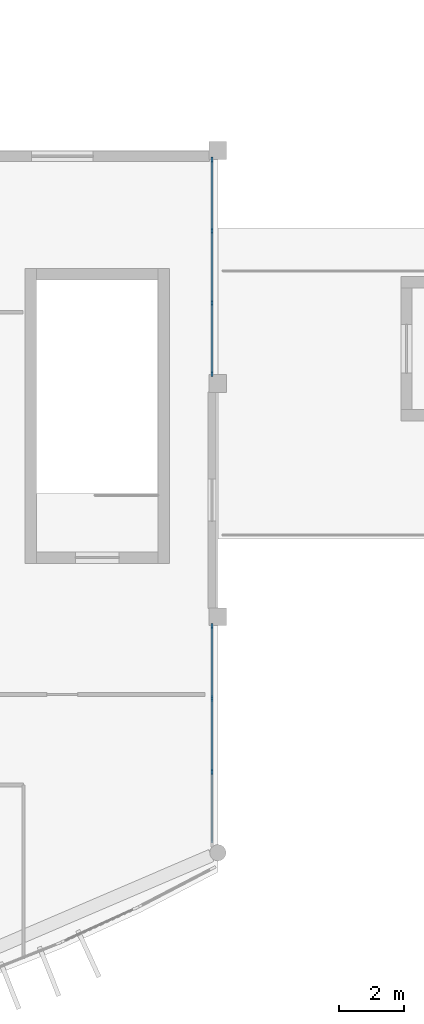
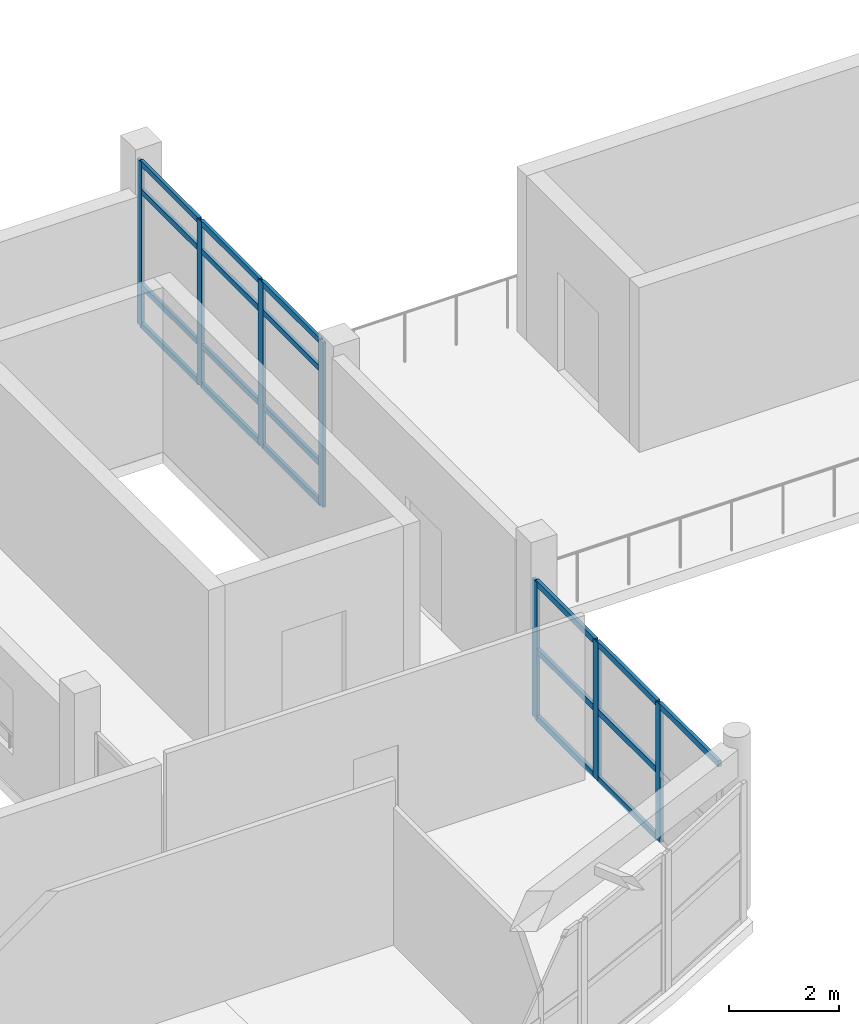
# One storey, part 7 of 32: 26 members, 2 elements without a shape of their own.
"""IFC4 building model written with IfcOpenShell, lengths in metres."""

from ifc_helpers import new_model, si_unit, direction, frame, origin, origin_2d, place, context, subcontext, project, spatial, rectangle, extrude, material, layer, layer_set, material_profile, profile_set, type_object, element, aggregate, save


model = new_model("IFC4")

# Units and contexts
model_context = context("Model", 3, precision=1e-05, world=origin(), true_north=direction((0.0, 1.0)))
body_context = subcontext(model_context, "Body", "Model", "MODEL_VIEW")
ifc_project = project(units=[si_unit("LENGTHUNIT", "METRE"), si_unit("AREAUNIT", "SQUARE_METRE"), si_unit("VOLUMEUNIT", "CUBIC_METRE"), si_unit("PLANEANGLEUNIT", "RADIAN"), si_unit("MASSUNIT", "GRAM", prefix="KILO")], contexts=[model_context])

# Site, building, storey
site_placement = place(None, origin())
site = spatial("IfcSite", under=ifc_project, at=site_placement, CompositionType="ELEMENT")
building_placement = place(site_placement, origin())
building = spatial("IfcBuilding", under=site, at=building_placement, Name="Brisavento Harbour Community Centre", CompositionType="ELEMENT")
storey_placement = place(building_placement, frame((0.0, 0.0, 12.89990234375)))
storey = spatial("IfcBuildingStorey", under=building, at=storey_placement, Name="L03", CompositionType="ELEMENT", Elevation=12.89990234375)

# Curtain wall, members
ifc_material = material(Name="Marine-anodised aluminium AW-6063-T6", Category="aluminium")
ifc_layer_1 = layer(ifc_material, 0.179931640625, Name="Marine-anodised aluminium AW-6063-T6")
ifc_layer_set_1 = layer_set([ifc_layer_1], Name="Marine-anodised aluminium AW-6063-T6")
curtain_wall_type_1 = type_object("IfcCurtainWallType", Name="CW-SYS-05", PredefinedType="USERDEFINED", material=ifc_layer_set_1)
curtain_wall_1_placement = place(storey_placement, origin())
curtain_wall_1 = element("IfcCurtainWall", 1, at=curtain_wall_1_placement, inside=storey, type_object=curtain_wall_type_1, Name="L03 V1 unitised curtain wall 173", ObjectType="UNITISED CURTAIN WALL", PredefinedType="USERDEFINED")
ifc_material_profile_1 = material_profile(ifc_material, rectangle(XDim=0.06494140625, YDim=0.1650390625, at=origin_2d()), Name="Marine-anodised aluminium AW-6063-T6")
ifc_profile_set_1 = profile_set([ifc_material_profile_1], Name="Marine-anodised aluminium AW-6063-T6")
member_type_1 = type_object("IfcMemberType", Name="CWM-01", PredefinedType="MULLION", material=ifc_profile_set_1)
member_1_placement = place(storey_placement, frame((50.219970703125, 28.507568359375, 0.0), z_axis=(0.0, 0.0, 1.0), x_axis=(1.0, 0.0, 0.0)))
member_1 = element("IfcMember", 2, at=member_1_placement, type_object=member_type_1, Name="CW-05 mullion 1", PredefinedType="MULLION", context=body_context, shape_type="SweptSolid", body=[
    extrude(rectangle(XDim=0.06494140625, YDim=0.1650390625, at=origin_2d()), origin(), (0.0, 0.0, 1.0), 3.66015625),
])
member_2_placement = place(storey_placement, frame((50.219970703125, 26.313232421875, 0.0), z_axis=(0.0, 0.0, 1.0), x_axis=(1.0, 0.0, 0.0)))
member_2 = element("IfcMember", 3, at=member_2_placement, type_object=member_type_1, Name="CW-05 mullion 2", PredefinedType="MULLION", context=body_context, shape_type="SweptSolid", body=[
    extrude(rectangle(XDim=0.06494140625, YDim=0.1650390625, at=origin_2d()), origin(), (0.0, 0.0, 1.0), 3.66015625),
])
member_3_placement = place(storey_placement, frame((50.219970703125, 24.086669921875, 0.0), z_axis=(0.0, 0.0, 1.0), x_axis=(1.0, 0.0, 0.0)))
member_3 = element("IfcMember", 4, at=member_3_placement, type_object=member_type_1, Name="CW-05 mullion 3", PredefinedType="MULLION", context=body_context, shape_type="SweptSolid", body=[
    extrude(rectangle(XDim=0.06494140625, YDim=0.1650390625, at=origin_2d()), origin(), (0.0, 0.0, 1.0), 3.66015625),
])
member_4_placement = place(storey_placement, frame((50.219970703125, 21.892578125, 0.0), z_axis=(0.0, 0.0, 1.0), x_axis=(1.0, 0.0, 0.0)))
member_4 = element("IfcMember", 5, at=member_4_placement, type_object=member_type_1, Name="CW-05 mullion 4", PredefinedType="MULLION", context=body_context, shape_type="SweptSolid", body=[
    extrude(rectangle(XDim=0.06494140625, YDim=0.1650390625, at=origin_2d()), origin(), (0.0, 0.0, 1.0), 3.66015625),
])

ifc_layer_2 = layer(ifc_material, 0.179931640625, Name="Marine-anodised aluminium AW-6063-T6")
ifc_layer_set_2 = layer_set([ifc_layer_2], Name="Marine-anodised aluminium AW-6063-T6")
curtain_wall_type_2 = type_object("IfcCurtainWallType", Name="CW-SYS-06", PredefinedType="USERDEFINED", material=ifc_layer_set_2)
curtain_wall_2_placement = place(storey_placement, origin())
curtain_wall_2 = element("IfcCurtainWall", 6, at=curtain_wall_2_placement, inside=storey, type_object=curtain_wall_type_2, Name="L03 V1 unitised curtain wall 174", ObjectType="UNITISED CURTAIN WALL", PredefinedType="USERDEFINED")
ifc_material_profile_2 = material_profile(ifc_material, rectangle(XDim=0.070068359375, YDim=0.179931640625, at=origin_2d()), Name="Marine-anodised aluminium AW-6063-T6")
ifc_profile_set_2 = profile_set([ifc_material_profile_2], Name="Marine-anodised aluminium AW-6063-T6")
member_type_2 = type_object("IfcMemberType", Name="CWM-02", PredefinedType="MULLION", material=ifc_profile_set_2)
member_5_placement = place(storey_placement, frame((50.219970703125, 14.10498046875, 0.0), z_axis=(0.0, 0.0, 1.0), x_axis=(1.0, 0.0, 0.0)))
member_5 = element("IfcMember", 7, at=member_5_placement, type_object=member_type_2, Name="CW-06 mullion 1", PredefinedType="MULLION", context=body_context, shape_type="SweptSolid", body=[
    extrude(rectangle(XDim=0.070068359375, YDim=0.179931640625, at=origin_2d()), origin(), (0.0, 0.0, 1.0), 3.06005859375),
])
member_6_placement = place(storey_placement, frame((50.219970703125, 11.87646484375, 0.0), z_axis=(0.0, 0.0, 1.0), x_axis=(1.0, 0.0, 0.0)))
member_6 = element("IfcMember", 8, at=member_6_placement, type_object=member_type_2, Name="CW-06 mullion 2", PredefinedType="MULLION", context=body_context, shape_type="SweptSolid", body=[
    extrude(rectangle(XDim=0.070068359375, YDim=0.179931640625, at=origin_2d()), origin(), (0.0, 0.0, 1.0), 3.06005859375),
])
member_7_placement = place(storey_placement, frame((50.219970703125, 9.61279296875, 0.0), z_axis=(0.0, 0.0, 1.0), x_axis=(1.0, 0.0, 0.0)))
member_7 = element("IfcMember", 9, at=member_7_placement, type_object=member_type_2, Name="CW-06 mullion 3", PredefinedType="MULLION", context=body_context, shape_type="SweptSolid", body=[
    extrude(rectangle(XDim=0.070068359375, YDim=0.179931640625, at=origin_2d()), origin(), (0.0, 0.0, 1.0), 3.06005859375),
])

# Member
ifc_material_profile_3 = material_profile(ifc_material, rectangle(XDim=0.06494140625, YDim=0.125, at=origin_2d()), Name="Marine-anodised aluminium AW-6063-T6")
ifc_profile_set_3 = profile_set([ifc_material_profile_3], Name="Marine-anodised aluminium AW-6063-T6")
member_type_3 = type_object("IfcMemberType", Name="CWT-01", PredefinedType="USERDEFINED", material=ifc_profile_set_3)
member_8_placement = place(storey_placement, frame((50.219970703125, 28.47509765625, 0.03271484375), z_axis=(0.0, -1.0, 0.0), x_axis=(1.0, 0.0, 0.0)))
member_8 = element("IfcMember", 10, at=member_8_placement, type_object=member_type_3, Name="CW-05 transom 1.1", ObjectType="TRANSOM", PredefinedType="USERDEFINED", context=body_context, shape_type="SweptSolid", body=[
    extrude(rectangle(XDim=0.06494140625, YDim=0.125, at=origin_2d()), origin(), (0.0, 0.0, 1.0), 2.129150390625),
])

member_9_placement = place(storey_placement, frame((50.219970703125, 28.47509765625, 0.900146484375), z_axis=(0.0, -1.0, 0.0), x_axis=(1.0, 0.0, 0.0)))
member_9 = element("IfcMember", 11, at=member_9_placement, type_object=member_type_3, Name="CW-05 transom 1.2", ObjectType="TRANSOM", PredefinedType="USERDEFINED", context=body_context, shape_type="SweptSolid", body=[
    extrude(rectangle(XDim=0.06494140625, YDim=0.125, at=origin_2d()), origin(), (0.0, 0.0, 1.0), 2.129150390625),
])

member_10_placement = place(storey_placement, frame((50.219970703125, 28.47509765625, 3.010009765625), z_axis=(0.0, -1.0, 0.0), x_axis=(1.0, 0.0, 0.0)))
member_10 = element("IfcMember", 12, at=member_10_placement, type_object=member_type_3, Name="CW-05 transom 1.3", ObjectType="TRANSOM", PredefinedType="USERDEFINED", context=body_context, shape_type="SweptSolid", body=[
    extrude(rectangle(XDim=0.06494140625, YDim=0.125, at=origin_2d()), origin(), (0.0, 0.0, 1.0), 2.129150390625),
])

member_11_placement = place(storey_placement, frame((50.219970703125, 28.47509765625, 3.627685546875), z_axis=(0.0, -1.0, 0.0), x_axis=(1.0, 0.0, 0.0)))
member_11 = element("IfcMember", 13, at=member_11_placement, type_object=member_type_3, Name="CW-05 transom 1.4", ObjectType="TRANSOM", PredefinedType="USERDEFINED", context=body_context, shape_type="SweptSolid", body=[
    extrude(rectangle(XDim=0.06494140625, YDim=0.125, at=origin_2d()), origin(), (0.0, 0.0, 1.0), 2.129150390625),
])

member_12_placement = place(storey_placement, frame((50.219970703125, 26.28076171875, 0.03271484375), z_axis=(0.0, -1.0, 0.0), x_axis=(1.0, 0.0, 0.0)))
member_12 = element("IfcMember", 14, at=member_12_placement, type_object=member_type_3, Name="CW-05 transom 2.1", ObjectType="TRANSOM", PredefinedType="USERDEFINED", context=body_context, shape_type="SweptSolid", body=[
    extrude(rectangle(XDim=0.06494140625, YDim=0.125, at=origin_2d()), origin(), (0.0, 0.0, 1.0), 2.16162109375),
])

member_13_placement = place(storey_placement, frame((50.219970703125, 26.28076171875, 0.900146484375), z_axis=(0.0, -1.0, 0.0), x_axis=(1.0, 0.0, 0.0)))
member_13 = element("IfcMember", 15, at=member_13_placement, type_object=member_type_3, Name="CW-05 transom 2.2", ObjectType="TRANSOM", PredefinedType="USERDEFINED", context=body_context, shape_type="SweptSolid", body=[
    extrude(rectangle(XDim=0.06494140625, YDim=0.125, at=origin_2d()), origin(), (0.0, 0.0, 1.0), 2.16162109375),
])

member_14_placement = place(storey_placement, frame((50.219970703125, 26.28076171875, 3.010009765625), z_axis=(0.0, -1.0, 0.0), x_axis=(1.0, 0.0, 0.0)))
member_14 = element("IfcMember", 16, at=member_14_placement, type_object=member_type_3, Name="CW-05 transom 2.3", ObjectType="TRANSOM", PredefinedType="USERDEFINED", context=body_context, shape_type="SweptSolid", body=[
    extrude(rectangle(XDim=0.06494140625, YDim=0.125, at=origin_2d()), origin(), (0.0, 0.0, 1.0), 2.16162109375),
])

member_15_placement = place(storey_placement, frame((50.219970703125, 26.28076171875, 3.627685546875), z_axis=(0.0, -1.0, 0.0), x_axis=(1.0, 0.0, 0.0)))
member_15 = element("IfcMember", 17, at=member_15_placement, type_object=member_type_3, Name="CW-05 transom 2.4", ObjectType="TRANSOM", PredefinedType="USERDEFINED", context=body_context, shape_type="SweptSolid", body=[
    extrude(rectangle(XDim=0.06494140625, YDim=0.125, at=origin_2d()), origin(), (0.0, 0.0, 1.0), 2.16162109375),
])

member_16_placement = place(storey_placement, frame((50.219970703125, 24.05419921875, 0.03271484375), z_axis=(0.0, -1.0, 0.0), x_axis=(1.0, 0.0, 0.0)))
member_16 = element("IfcMember", 18, at=member_16_placement, type_object=member_type_3, Name="CW-05 transom 3.1", ObjectType="TRANSOM", PredefinedType="USERDEFINED", context=body_context, shape_type="SweptSolid", body=[
    extrude(rectangle(XDim=0.06494140625, YDim=0.125, at=origin_2d()), origin(), (0.0, 0.0, 1.0), 2.129150390625),
])

member_17_placement = place(storey_placement, frame((50.219970703125, 24.05419921875, 0.900146484375), z_axis=(0.0, -1.0, 0.0), x_axis=(1.0, 0.0, 0.0)))
member_17 = element("IfcMember", 19, at=member_17_placement, type_object=member_type_3, Name="CW-05 transom 3.2", ObjectType="TRANSOM", PredefinedType="USERDEFINED", context=body_context, shape_type="SweptSolid", body=[
    extrude(rectangle(XDim=0.06494140625, YDim=0.125, at=origin_2d()), origin(), (0.0, 0.0, 1.0), 2.129150390625),
])

member_18_placement = place(storey_placement, frame((50.219970703125, 24.05419921875, 3.010009765625), z_axis=(0.0, -1.0, 0.0), x_axis=(1.0, 0.0, 0.0)))
member_18 = element("IfcMember", 20, at=member_18_placement, type_object=member_type_3, Name="CW-05 transom 3.3", ObjectType="TRANSOM", PredefinedType="USERDEFINED", context=body_context, shape_type="SweptSolid", body=[
    extrude(rectangle(XDim=0.06494140625, YDim=0.125, at=origin_2d()), origin(), (0.0, 0.0, 1.0), 2.129150390625),
])

member_19_placement = place(storey_placement, frame((50.219970703125, 24.05419921875, 3.627685546875), z_axis=(0.0, -1.0, 0.0), x_axis=(1.0, 0.0, 0.0)))
member_19 = element("IfcMember", 21, at=member_19_placement, type_object=member_type_3, Name="CW-05 transom 3.4", ObjectType="TRANSOM", PredefinedType="USERDEFINED", context=body_context, shape_type="SweptSolid", body=[
    extrude(rectangle(XDim=0.06494140625, YDim=0.125, at=origin_2d()), origin(), (0.0, 0.0, 1.0), 2.129150390625),
])

aggregate(curtain_wall_1, [member_1, member_2, member_3, member_4, member_8, member_9, member_10, member_11, member_12, member_13, member_14, member_15, member_16, member_17, member_18, member_19])

ifc_material_profile_4 = material_profile(ifc_material, rectangle(XDim=0.070068359375, YDim=0.132080078125, at=origin_2d()), Name="Marine-anodised aluminium AW-6063-T6")
ifc_profile_set_4 = profile_set([ifc_material_profile_4], Name="Marine-anodised aluminium AW-6063-T6")
member_type_4 = type_object("IfcMemberType", Name="CWT-02", PredefinedType="USERDEFINED", material=ifc_profile_set_4)
member_20_placement = place(storey_placement, frame((50.219970703125, 14.070068359375, 0.03515625), z_axis=(0.0, -1.0, 0.0), x_axis=(1.0, 0.0, 0.0)))
member_20 = element("IfcMember", 22, at=member_20_placement, type_object=member_type_4, Name="CW-06 transom 1.1", ObjectType="TRANSOM", PredefinedType="USERDEFINED", context=body_context, shape_type="SweptSolid", body=[
    extrude(rectangle(XDim=0.070068359375, YDim=0.132080078125, at=origin_2d()), origin(), (0.0, 0.0, 1.0), 2.15869140625),
])

member_21_placement = place(storey_placement, frame((50.219970703125, 14.070068359375, 1.530029296875), z_axis=(0.0, -1.0, 0.0), x_axis=(1.0, 0.0, 0.0)))
member_21 = element("IfcMember", 23, at=member_21_placement, type_object=member_type_4, Name="CW-06 transom 1.2", ObjectType="TRANSOM", PredefinedType="USERDEFINED", context=body_context, shape_type="SweptSolid", body=[
    extrude(rectangle(XDim=0.070068359375, YDim=0.132080078125, at=origin_2d()), origin(), (0.0, 0.0, 1.0), 2.15869140625),
])

member_22_placement = place(storey_placement, frame((50.219970703125, 14.070068359375, 3.025146484375), z_axis=(0.0, -1.0, 0.0), x_axis=(1.0, 0.0, 0.0)))
member_22 = element("IfcMember", 24, at=member_22_placement, type_object=member_type_4, Name="CW-06 transom 1.3", ObjectType="TRANSOM", PredefinedType="USERDEFINED", context=body_context, shape_type="SweptSolid", body=[
    extrude(rectangle(XDim=0.070068359375, YDim=0.132080078125, at=origin_2d()), origin(), (0.0, 0.0, 1.0), 2.15869140625),
])

member_23_placement = place(storey_placement, frame((50.219970703125, 11.84130859375, 0.03515625), z_axis=(0.0, -1.0, 0.0), x_axis=(1.0, 0.0, 0.0)))
member_23 = element("IfcMember", 25, at=member_23_placement, type_object=member_type_4, Name="CW-06 transom 2.1", ObjectType="TRANSOM", PredefinedType="USERDEFINED", context=body_context, shape_type="SweptSolid", body=[
    extrude(rectangle(XDim=0.070068359375, YDim=0.132080078125, at=origin_2d()), origin(), (0.0, 0.0, 1.0), 2.193603515625),
])

member_24_placement = place(storey_placement, frame((50.219970703125, 11.84130859375, 1.530029296875), z_axis=(0.0, -1.0, 0.0), x_axis=(1.0, 0.0, 0.0)))
member_24 = element("IfcMember", 26, at=member_24_placement, type_object=member_type_4, Name="CW-06 transom 2.2", ObjectType="TRANSOM", PredefinedType="USERDEFINED", context=body_context, shape_type="SweptSolid", body=[
    extrude(rectangle(XDim=0.070068359375, YDim=0.132080078125, at=origin_2d()), origin(), (0.0, 0.0, 1.0), 2.193603515625),
])

member_25_placement = place(storey_placement, frame((50.219970703125, 11.84130859375, 3.025146484375), z_axis=(0.0, -1.0, 0.0), x_axis=(1.0, 0.0, 0.0)))
member_25 = element("IfcMember", 27, at=member_25_placement, type_object=member_type_4, Name="CW-06 transom 2.3", ObjectType="TRANSOM", PredefinedType="USERDEFINED", context=body_context, shape_type="SweptSolid", body=[
    extrude(rectangle(XDim=0.070068359375, YDim=0.132080078125, at=origin_2d()), origin(), (0.0, 0.0, 1.0), 2.193603515625),
])

member_26_placement = place(storey_placement, frame((50.219970703125, 9.577880859375, 3.025146484375), z_axis=(0.0, -1.0, 0.0), x_axis=(1.0, 0.0, 0.0)))
member_26 = element("IfcMember", 28, at=member_26_placement, type_object=member_type_4, Name="CW-06 transom 3.3", ObjectType="TRANSOM", PredefinedType="USERDEFINED", context=body_context, shape_type="SweptSolid", body=[
    extrude(rectangle(XDim=0.070068359375, YDim=0.132080078125, at=origin_2d()), origin(), (0.0, 0.0, 1.0), 2.15869140625),
])

aggregate(curtain_wall_2, [member_5, member_6, member_7, member_20, member_21, member_22, member_23, member_24, member_25, member_26])

save(model, "model.ifc")
